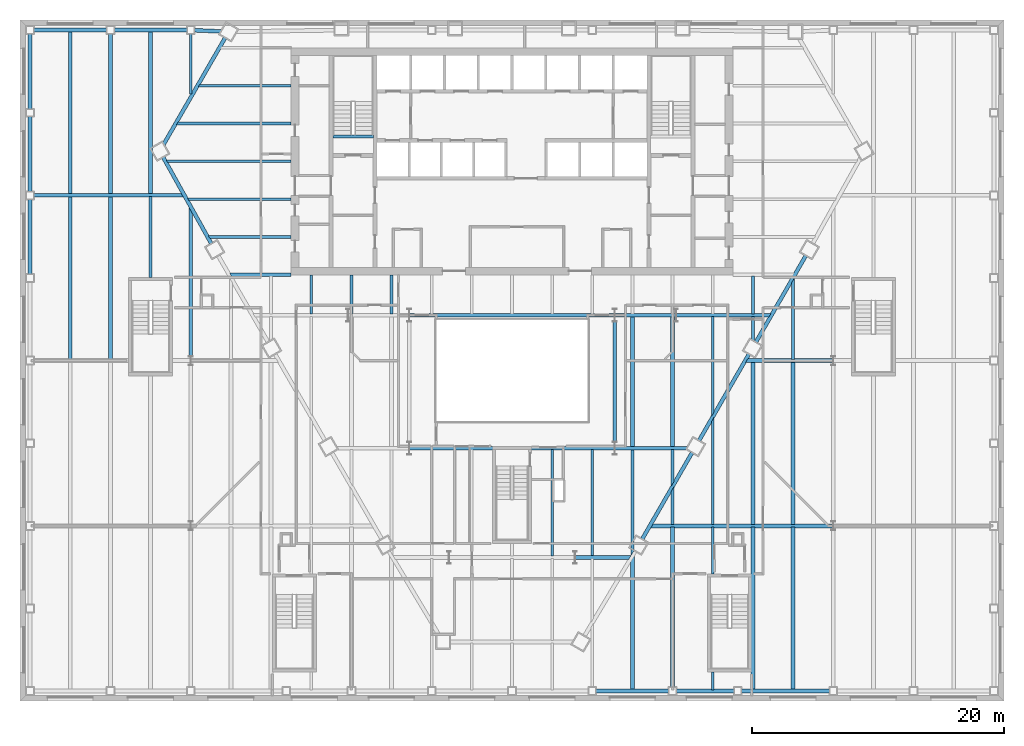
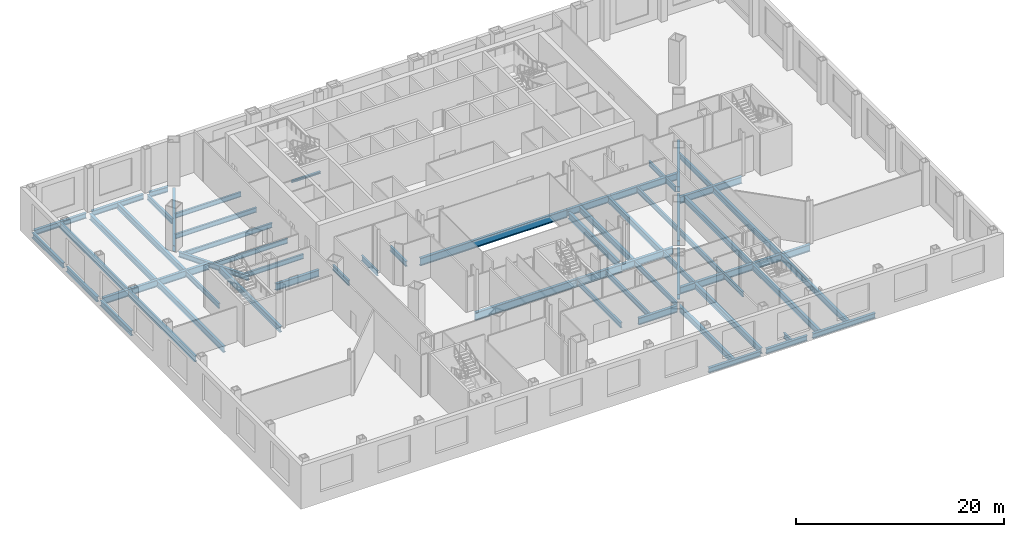
# One storey, part 5 of 21: 62 beams.
"""IFC4 building model written with IfcOpenShell, lengths in metres."""

from ifc_helpers import new_model, si_unit, direction, frame, origin, origin_2d, place, context, subcontext, project, spatial, i_section, extrude, clip, halfspace, material, material_profile, profile_set, type_object, element, save


model = new_model("IFC4")

# Units and contexts
model_context = context("Model", 3, precision=1e-05, world=origin(), true_north=direction((0.0, 1.0)))
body_context = subcontext(model_context, "Body", "Model", "MODEL_VIEW")
ifc_project = project(units=[si_unit("LENGTHUNIT", "METRE"), si_unit("AREAUNIT", "SQUARE_METRE"), si_unit("VOLUMEUNIT", "CUBIC_METRE"), si_unit("PLANEANGLEUNIT", "RADIAN"), si_unit("MASSUNIT", "GRAM", prefix="KILO")], contexts=[model_context])

# Site, building, storey
site_placement = place(None, origin())
site = spatial("IfcSite", under=ifc_project, at=site_placement, CompositionType="ELEMENT")
building_placement = place(site_placement, origin())
building = spatial("IfcBuilding", under=site, at=building_placement, Name="Njiva Tower", CompositionType="ELEMENT")
storey_placement = place(building_placement, frame((0.0, 0.0, 8.4)))
storey = spatial("IfcBuildingStorey", under=building, at=storey_placement, Name="L01", CompositionType="ELEMENT", Elevation=8.4)

# Beams
ifc_material = material(Name="Steel S355 J2", Category="steel")
ifc_material_profile_1 = material_profile(ifc_material, i_section(OverallWidth=0.3, OverallDepth=0.69, WebThickness=0.0145, FlangeThickness=0.027, at=origin_2d()), Name="HEA 700")
ifc_profile_set_1 = profile_set([ifc_material_profile_1], Name="Steel S355 J2")
beam_type_1 = type_object("IfcBeamType", Name="B1 Long-span spandrel beam HEA 700", PredefinedType="SPANDREL", material=ifc_profile_set_1)
beam_1_placement = place(storey_placement, frame((-22.736, 18.791, -0.565), z_axis=(-0.499971337603, -0.866041951395, 0.0), x_axis=(0.866041951395, -0.499971337603, 0.0)))
element("IfcBeam", 1, at=beam_1_placement, inside=storey, type_object=beam_type_1, Name="Long-span spandrel beam L01-B147", PredefinedType="SPANDREL", context=body_context, shape_type="Clipping", body=[
    clip(extrude(i_section(OverallWidth=0.3, OverallDepth=0.69, WebThickness=0.0145, FlangeThickness=0.027, at=origin_2d()), origin(), (0.0, 0.0, 1.0), 9.8456), halfspace(frame((-0.0253, 0.0, 9.7239), z_axis=(-0.500030652022, 0.0, 0.866007706108), x_axis=(0.0, 1.0, 0.0)), False)),
])
ifc_material_profile_2 = material_profile(ifc_material, i_section(OverallWidth=0.21, OverallDepth=0.55, WebThickness=0.0111, FlangeThickness=0.0172, at=origin_2d()), Name="IPE 550")
ifc_profile_set_2 = profile_set([ifc_material_profile_2], Name="Steel S355 J2")
beam_type_2 = type_object("IfcBeamType", Name="B10 Floor beam to the core IPE 550", PredefinedType="BEAM", material=ifc_profile_set_2)
beam_2_placement = place(storey_placement, frame((-24.091, 3.0, -0.495), z_axis=(1.0, 0.0, 0.0), x_axis=(0.0, 1.0, 0.0)))
element("IfcBeam", 2, at=beam_2_placement, inside=storey, type_object=beam_type_2, Name="Floor beam to the core L01-B005", PredefinedType="BEAM", context=body_context, shape_type="Clipping", body=[
    clip(extrude(i_section(OverallWidth=0.21, OverallDepth=0.55, WebThickness=0.0111, FlangeThickness=0.0172, at=origin_2d()), origin(), (0.0, 0.0, 1.0), 6.591), halfspace(frame((-0.0244, 0.0, 0.0929), z_axis=(-0.487051738924, 0.0, -0.87337311821), x_axis=(0.0, -1.0, 0.0)), False)),
])
beam_3_placement = place(storey_placement, frame((-25.764, 6.0, -0.495), z_axis=(1.0, 0.0, 0.0), x_axis=(0.0, 1.0, 0.0)))
element("IfcBeam", 3, at=beam_3_placement, inside=storey, type_object=beam_type_2, Name="Floor beam to the core L01-B003", PredefinedType="BEAM", context=body_context, shape_type="Clipping", body=[
    clip(extrude(i_section(OverallWidth=0.21, OverallDepth=0.55, WebThickness=0.0111, FlangeThickness=0.0172, at=origin_2d()), origin(), (0.0, 0.0, 1.0), 8.264), halfspace(frame((-0.0244, 0.0, 0.093), z_axis=(-0.487051738924, 0.0, -0.87337311821), x_axis=(0.0, -1.0, 0.0)), False)),
])
beam_4_placement = place(storey_placement, frame((-26.622, 12.0, -0.495), z_axis=(1.0, 0.0, 0.0), x_axis=(0.0, 1.0, 0.0)))
element("IfcBeam", 4, at=beam_4_placement, inside=storey, type_object=beam_type_2, Name="Floor beam to the core L01-B002", PredefinedType="BEAM", context=body_context, shape_type="Clipping", body=[
    clip(extrude(i_section(OverallWidth=0.21, OverallDepth=0.55, WebThickness=0.0111, FlangeThickness=0.0172, at=origin_2d()), origin(), (0.0, 0.0, 1.0), 9.122), halfspace(frame((0.025, 0.0, 0.0951), z_axis=(0.499998009787, 0.0, -0.866026552831), x_axis=(0.0, -1.0, 0.0)), False)),
])
beam_5_placement = place(storey_placement, frame((-24.89, 15.0, -0.495), z_axis=(1.0, 0.0, 0.0), x_axis=(0.0, 1.0, 0.0)))
element("IfcBeam", 5, at=beam_5_placement, inside=storey, type_object=beam_type_2, Name="Floor beam to the core L01-B004", PredefinedType="BEAM", context=body_context, shape_type="Clipping", body=[
    clip(extrude(i_section(OverallWidth=0.21, OverallDepth=0.55, WebThickness=0.0111, FlangeThickness=0.0172, at=origin_2d()), origin(), (0.0, 0.0, 1.0), 7.39), halfspace(frame((0.025, 0.0, 0.0951), z_axis=(0.499998009787, 0.0, -0.866026552831), x_axis=(0.0, -1.0, 0.0)), False)),
])
ifc_material_profile_3 = material_profile(ifc_material, i_section(OverallWidth=0.21, OverallDepth=0.55, WebThickness=0.0111, FlangeThickness=0.0172, at=origin_2d()), Name="IPE 550")
ifc_profile_set_3 = profile_set([ifc_material_profile_3], Name="Steel S355 J2")
beam_type_3 = type_object("IfcBeamType", Name="B11 Long-span floor beam to the core IPE 550", PredefinedType="BEAM", material=ifc_profile_set_3)
beam_6_placement = place(storey_placement, frame((-27.437, 9.0, -0.495), z_axis=(1.0, 0.0, 0.0), x_axis=(0.0, 1.0, 0.0)))
element("IfcBeam", 6, at=beam_6_placement, inside=storey, type_object=beam_type_3, Name="Long-span floor beam to the core L01-B001", PredefinedType="BEAM", context=body_context, shape_type="Clipping", body=[
    clip(extrude(i_section(OverallWidth=0.21, OverallDepth=0.55, WebThickness=0.0111, FlangeThickness=0.0172, at=origin_2d()), origin(), (0.0, 0.0, 1.0), 9.937), halfspace(frame((-0.0244, 0.0, 0.093), z_axis=(-0.487051738924, 0.0, -0.87337311821), x_axis=(0.0, -1.0, 0.0)), False)),
])
ifc_material_profile_4 = material_profile(ifc_material, i_section(OverallWidth=0.3, OverallDepth=0.69, WebThickness=0.0145, FlangeThickness=0.027, at=origin_2d()), Name="HEA 700")
ifc_profile_set_4 = profile_set([ifc_material_profile_4], Name="Steel S355 J2")
beam_type_4 = type_object("IfcBeamType", Name="B12 Long-span floor joist HEA 700", PredefinedType="JOIST", material=ifc_profile_set_4)
for number, where, z_axis, x_axis, name in (
    (7, (-35.017, 19.3, -0.565), (0.0, -1.0, 0.0), (1.0, 0.0, 0.0), "Long-span floor joist L01-B039"),
    (8, (-35.017, 6.2, -0.565), (0.0, -1.0, 0.0), (1.0, 0.0, 0.0), "Long-span floor joist L01-B038"),
):
    element("IfcBeam", number, at=place(storey_placement, frame(where, z_axis=z_axis, x_axis=x_axis)), inside=storey, type_object=beam_type_4, Name=name, PredefinedType="JOIST", context=body_context, shape_type="SweptSolid", body=[
        extrude(i_section(OverallWidth=0.3, OverallDepth=0.69, WebThickness=0.0145, FlangeThickness=0.027, at=origin_2d()), origin(), (0.0, 0.0, 1.0), 12.9),
    ])
beam_7_placement = place(storey_placement, frame((-31.833, 19.1, -0.565), z_axis=(0.0, -1.0, 0.0), x_axis=(1.0, 0.0, 0.0)))
element("IfcBeam", 9, at=beam_7_placement, inside=storey, type_object=beam_type_4, Name="Long-span floor joist L01-B043", PredefinedType="JOIST", context=body_context, shape_type="SweptSolid", body=[
    extrude(i_section(OverallWidth=0.3, OverallDepth=0.69, WebThickness=0.0145, FlangeThickness=0.027, at=origin_2d()), origin(), (0.0, 0.0, 1.0), 12.7),
])
for number, where, z_axis, x_axis, name in (
    (10, (-31.833, 6.2, -0.565), (0.0, -1.0, 0.0), (1.0, 0.0, 0.0), "Long-span floor joist L01-B042"),
    (11, (-28.65, 19.3, -0.565), (0.0, -1.0, 0.0), (1.0, 0.0, 0.0), "Long-span floor joist L01-B047"),
):
    element("IfcBeam", number, at=place(storey_placement, frame(where, z_axis=z_axis, x_axis=x_axis)), inside=storey, type_object=beam_type_4, Name=name, PredefinedType="JOIST", context=body_context, shape_type="SweptSolid", body=[
        extrude(i_section(OverallWidth=0.3, OverallDepth=0.69, WebThickness=0.0145, FlangeThickness=0.027, at=origin_2d()), origin(), (0.0, 0.0, 1.0), 12.9),
    ])
beam_8_placement = place(storey_placement, frame((-25.467, 5.288, -0.565), z_axis=(0.0, -1.0, 0.0), x_axis=(1.0, 0.0, 0.0)))
element("IfcBeam", 12, at=beam_8_placement, inside=storey, type_object=beam_type_4, Name="Long-span floor joist L01-B050", PredefinedType="JOIST", context=body_context, shape_type="SweptSolid", body=[
    extrude(i_section(OverallWidth=0.3, OverallDepth=0.69, WebThickness=0.0145, FlangeThickness=0.027, at=origin_2d()), origin(), (0.0, 0.0, 1.0), 11.78),
])
beam_9_placement = place(storey_placement, frame((9.55, -3.3, -0.565), z_axis=(0.0, -1.0, 0.0), x_axis=(1.0, 0.0, 0.0)))
element("IfcBeam", 13, at=beam_9_placement, inside=storey, type_object=beam_type_4, Name="Long-span floor joist L01-B095", PredefinedType="JOIST", context=body_context, shape_type="SweptSolid", body=[
    extrude(i_section(OverallWidth=0.3, OverallDepth=0.69, WebThickness=0.0145, FlangeThickness=0.027, at=origin_2d()), origin(), (0.0, 0.0, 1.0), 10.35),
])
beam_10_placement = place(storey_placement, frame((9.55, -22.243, -0.565), z_axis=(0.0, -1.0, 0.0), x_axis=(1.0, 0.0, 0.0)))
element("IfcBeam", 14, at=beam_10_placement, inside=storey, type_object=beam_type_4, Name="Long-span floor joist L01-B093", PredefinedType="JOIST", context=body_context, shape_type="Clipping", body=[
    clip(extrude(i_section(OverallWidth=0.3, OverallDepth=0.69, WebThickness=0.0145, FlangeThickness=0.027, at=origin_2d()), origin(), (0.0, 0.0, 1.0), 10.657), halfspace(frame((-0.0429, 0.0, 0.2758), z_axis=(-0.858483100847, 0.0, -0.512841852388), x_axis=(0.0, -1.0, 0.0)), False)),
])
beam_11_placement = place(storey_placement, frame((12.733, -3.3, -0.565), z_axis=(0.0, -1.0, 0.0), x_axis=(1.0, 0.0, 0.0)))
element("IfcBeam", 15, at=beam_11_placement, inside=storey, type_object=beam_type_4, Name="Long-span floor joist L01-B100", PredefinedType="JOIST", context=body_context, shape_type="SweptSolid", body=[
    extrude(i_section(OverallWidth=0.3, OverallDepth=0.69, WebThickness=0.0145, FlangeThickness=0.027, at=origin_2d()), origin(), (0.0, 0.0, 1.0), 10.35),
])
beam_12_placement = place(storey_placement, frame((12.733, -20.001, -0.565), z_axis=(0.0, -1.0, 0.0), x_axis=(1.0, 0.0, 0.0)))
element("IfcBeam", 16, at=beam_12_placement, inside=storey, type_object=beam_type_4, Name="Long-span floor joist L01-B097", PredefinedType="JOIST", context=body_context, shape_type="SweptSolid", body=[
    extrude(i_section(OverallWidth=0.3, OverallDepth=0.69, WebThickness=0.0145, FlangeThickness=0.027, at=origin_2d()), origin(), (0.0, 0.0, 1.0), 12.699),
])
for number, where, z_axis, x_axis, name in (
    (17, (19.1, -6.9, -0.565), (0.0, -1.0, 0.0), (1.0, 0.0, 0.0), "Long-span floor joist L01-B108"),
    (18, (19.1, -20.001, -0.565), (0.0, -1.0, 0.0), (1.0, 0.0, 0.0), "Long-span floor joist L01-B107"),
    (19, (22.283, -6.9, -0.565), (0.0, -1.0, 0.0), (1.0, 0.0, 0.0), "Long-span floor joist L01-B112"),
    (20, (22.283, -20.001, -0.565), (0.0, -1.0, 0.0), (1.0, 0.0, 0.0), "Long-span floor joist L01-B111"),
):
    element("IfcBeam", number, at=place(storey_placement, frame(where, z_axis=z_axis, x_axis=x_axis)), inside=storey, type_object=beam_type_4, Name=name, PredefinedType="JOIST", context=body_context, shape_type="SweptSolid", body=[
        extrude(i_section(OverallWidth=0.3, OverallDepth=0.69, WebThickness=0.0145, FlangeThickness=0.027, at=origin_2d()), origin(), (0.0, 0.0, 1.0), 12.899),
    ])
ifc_material_profile_5 = material_profile(ifc_material, i_section(OverallWidth=0.22, OverallDepth=0.6, WebThickness=0.012, FlangeThickness=0.019, at=origin_2d()), Name="IPE 600")
ifc_profile_set_5 = profile_set([ifc_material_profile_5], Name="Steel S355 J2")
beam_type_5 = type_object("IfcBeamType", Name="B13 Floor joist IPE 600", PredefinedType="JOIST", material=ifc_profile_set_5)
beam_13_placement = place(storey_placement, frame((-28.65, 6.2, -0.52), z_axis=(0.0, -1.0, 0.0), x_axis=(1.0, 0.0, 0.0)))
element("IfcBeam", 21, at=beam_13_placement, inside=storey, type_object=beam_type_5, Name="Floor joist L01-B046", PredefinedType="JOIST", context=body_context, shape_type="SweptSolid", body=[
    extrude(i_section(OverallWidth=0.22, OverallDepth=0.6, WebThickness=0.012, FlangeThickness=0.019, at=origin_2d()), origin(), (0.0, 0.0, 1.0), 6.4),
])
beam_14_placement = place(storey_placement, frame((-25.467, 19.1, -0.52), z_axis=(0.0, -1.0, 0.0), x_axis=(1.0, 0.0, 0.0)))
element("IfcBeam", 22, at=beam_14_placement, inside=storey, type_object=beam_type_5, Name="Floor joist L01-B051", PredefinedType="JOIST", context=body_context, shape_type="SweptSolid", body=[
    extrude(i_section(OverallWidth=0.22, OverallDepth=0.6, WebThickness=0.012, FlangeThickness=0.019, at=origin_2d()), origin(), (0.0, 0.0, 1.0), 4.772),
])
for number, where, z_axis, x_axis, name in (
    (23, (3.183, -13.851, -0.52), (0.0, -1.0, 0.0), (1.0, 0.0, 0.0), "Floor joist L01-B087"),
    (24, (6.367, -13.851, -0.52), (0.0, -1.0, 0.0), (1.0, 0.0, 0.0), "Floor joist L01-B091"),
):
    element("IfcBeam", number, at=place(storey_placement, frame(where, z_axis=z_axis, x_axis=x_axis)), inside=storey, type_object=beam_type_5, Name=name, PredefinedType="JOIST", context=body_context, shape_type="SweptSolid", body=[
        extrude(i_section(OverallWidth=0.22, OverallDepth=0.6, WebThickness=0.012, FlangeThickness=0.019, at=origin_2d()), origin(), (0.0, 0.0, 1.0), 8.449),
    ])
beam_15_placement = place(storey_placement, frame((9.55, -13.85, -0.52), z_axis=(0.0, -1.0, 0.0), x_axis=(1.0, 0.0, 0.0)))
element("IfcBeam", 25, at=beam_15_placement, inside=storey, type_object=beam_type_5, Name="Floor joist L01-B094", PredefinedType="JOIST", context=body_context, shape_type="Clipping", body=[
    clip(extrude(i_section(OverallWidth=0.22, OverallDepth=0.6, WebThickness=0.012, FlangeThickness=0.019, at=origin_2d()), origin(), (0.0, 0.0, 1.0), 8.411), halfspace(frame((0.0429, 0.0, 8.1351), z_axis=(0.858483100847, 0.0, 0.512841852388), x_axis=(0.0, 1.0, 0.0)), False)),
])
beam_16_placement = place(storey_placement, frame((15.917, -3.3, -0.52), z_axis=(0.0, -1.0, 0.0), x_axis=(1.0, 0.0, 0.0)))
element("IfcBeam", 26, at=beam_16_placement, inside=storey, type_object=beam_type_5, Name="Floor joist L01-B105", PredefinedType="JOIST", context=body_context, shape_type="Clipping", body=[
    clip(extrude(i_section(OverallWidth=0.22, OverallDepth=0.6, WebThickness=0.012, FlangeThickness=0.019, at=origin_2d()), origin(), (0.0, 0.0, 1.0), 7.964), halfspace(frame((0.043, 0.0, 7.6783), z_axis=(0.866026552831, 0.0, 0.499998009787), x_axis=(0.0, 1.0, 0.0)), False)),
])
beam_17_placement = place(storey_placement, frame((15.917, -11.242, -0.52), z_axis=(0.0, -1.0, 0.0), x_axis=(1.0, 0.0, 0.0)))
element("IfcBeam", 27, at=beam_17_placement, inside=storey, type_object=beam_type_5, Name="Floor joist L01-B104", PredefinedType="JOIST", context=body_context, shape_type="Clipping", body=[
    clip(extrude(i_section(OverallWidth=0.22, OverallDepth=0.6, WebThickness=0.012, FlangeThickness=0.019, at=origin_2d()), origin(), (0.0, 0.0, 1.0), 8.557), halfspace(frame((-0.0436, 0.0, 0.2863), z_axis=(-0.866026552831, 0.0, -0.499998009787), x_axis=(0.0, -1.0, 0.0)), False)),
])
beam_18_placement = place(storey_placement, frame((22.283, -0.215, -0.52), z_axis=(0.0, -1.0, 0.0), x_axis=(1.0, 0.0, 0.0)))
element("IfcBeam", 28, at=beam_18_placement, inside=storey, type_object=beam_type_5, Name="Floor joist L01-B113", PredefinedType="JOIST", context=body_context, shape_type="Clipping", body=[
    clip(extrude(i_section(OverallWidth=0.22, OverallDepth=0.6, WebThickness=0.012, FlangeThickness=0.019, at=origin_2d()), origin(), (0.0, 0.0, 1.0), 6.485), halfspace(frame((-0.043, 0.0, 0.2859), z_axis=(-0.866026552831, 0.0, -0.499998009787), x_axis=(0.0, -1.0, 0.0)), False)),
])
ifc_material_profile_6 = material_profile(ifc_material, i_section(OverallWidth=0.22, OverallDepth=0.6, WebThickness=0.012, FlangeThickness=0.019, at=origin_2d()), Name="IPE 600")
ifc_profile_set_6 = profile_set([ifc_material_profile_6], Name="Steel S355 J2")
beam_type_6 = type_object("IfcBeamType", Name="B14 Short-span floor joist IPE 600", PredefinedType="JOIST", material=ifc_profile_set_6)
for number, where, z_axis, x_axis, name in (
    (29, (-15.917, -0.005, -0.52), (0.0, -1.0, 0.0), (1.0, 0.0, 0.0), "Short-span floor joist L01-B063"),
    (30, (-12.733, -0.005, -0.52), (0.0, -1.0, 0.0), (1.0, 0.0, 0.0), "Short-span floor joist L01-B068"),
    (31, (-9.55, -0.005, -0.52), (0.0, -1.0, 0.0), (1.0, 0.0, 0.0), "Short-span floor joist L01-B072"),
):
    element("IfcBeam", number, at=place(storey_placement, frame(where, z_axis=z_axis, x_axis=x_axis)), inside=storey, type_object=beam_type_6, Name=name, PredefinedType="JOIST", context=body_context, shape_type="SweptSolid", body=[
        extrude(i_section(OverallWidth=0.22, OverallDepth=0.6, WebThickness=0.012, FlangeThickness=0.019, at=origin_2d()), origin(), (0.0, 0.0, 1.0), 3.095),
    ])
beam_19_placement = place(storey_placement, frame((12.733, -13.85, -0.52), z_axis=(0.0, -1.0, 0.0), x_axis=(1.0, 0.0, 0.0)))
element("IfcBeam", 32, at=beam_19_placement, inside=storey, type_object=beam_type_6, Name="Short-span floor joist L01-B099", PredefinedType="JOIST", context=body_context, shape_type="Clipping", body=[
    clip(extrude(i_section(OverallWidth=0.22, OverallDepth=0.6, WebThickness=0.012, FlangeThickness=0.019, at=origin_2d()), origin(), (0.0, 0.0, 1.0), 2.928), halfspace(frame((0.0436, 0.0, 2.642), z_axis=(0.866026552831, 0.0, 0.499998009787), x_axis=(0.0, 1.0, 0.0)), False)),
])
beam_20_placement = place(storey_placement, frame((12.733, -16.756, -0.52), z_axis=(0.0, -1.0, 0.0), x_axis=(1.0, 0.0, 0.0)))
element("IfcBeam", 33, at=beam_20_placement, inside=storey, type_object=beam_type_6, Name="Short-span floor joist L01-B098", PredefinedType="JOIST", context=body_context, shape_type="Clipping", body=[
    clip(extrude(i_section(OverallWidth=0.22, OverallDepth=0.6, WebThickness=0.012, FlangeThickness=0.019, at=origin_2d()), origin(), (0.0, 0.0, 1.0), 3.043), halfspace(frame((-0.043, 0.0, 0.286), z_axis=(-0.866026552831, 0.0, -0.499998009787), x_axis=(0.0, -1.0, 0.0)), False)),
])
beam_21_placement = place(storey_placement, frame((15.917, -20.001, -0.52), z_axis=(0.0, -1.0, 0.0), x_axis=(1.0, 0.0, 0.0)))
element("IfcBeam", 34, at=beam_21_placement, inside=storey, type_object=beam_type_6, Name="Short-span floor joist L01-B103", PredefinedType="JOIST", context=body_context, shape_type="SweptSolid", body=[
    extrude(i_section(OverallWidth=0.22, OverallDepth=0.6, WebThickness=0.012, FlangeThickness=0.019, at=origin_2d()), origin(), (0.0, 0.0, 1.0), 3.699),
])
beam_22_placement = place(storey_placement, frame((15.917, -31.5, -0.52), z_axis=(0.0, -1.0, 0.0), x_axis=(1.0, 0.0, 0.0)))
element("IfcBeam", 35, at=beam_22_placement, inside=storey, type_object=beam_type_6, Name="Short-span floor joist L01-B102", PredefinedType="JOIST", context=body_context, shape_type="SweptSolid", body=[
    extrude(i_section(OverallWidth=0.22, OverallDepth=0.6, WebThickness=0.012, FlangeThickness=0.019, at=origin_2d()), origin(), (0.0, 0.0, 1.0), 1.4),
])
beam_23_placement = place(storey_placement, frame((19.1, -0.1, -0.52), z_axis=(0.0, -1.0, 0.0), x_axis=(1.0, 0.0, 0.0)))
element("IfcBeam", 36, at=beam_23_placement, inside=storey, type_object=beam_type_6, Name="Short-span floor joist L01-B110", PredefinedType="JOIST", context=body_context, shape_type="SweptSolid", body=[
    extrude(i_section(OverallWidth=0.22, OverallDepth=0.6, WebThickness=0.012, FlangeThickness=0.019, at=origin_2d()), origin(), (0.0, 0.0, 1.0), 3.0),
])
beam_24_placement = place(storey_placement, frame((19.1, -3.3, -0.52), z_axis=(0.0, -1.0, 0.0), x_axis=(1.0, 0.0, 0.0)))
element("IfcBeam", 37, at=beam_24_placement, inside=storey, type_object=beam_type_6, Name="Short-span floor joist L01-B109", PredefinedType="JOIST", context=body_context, shape_type="Clipping", body=[
    clip(extrude(i_section(OverallWidth=0.22, OverallDepth=0.6, WebThickness=0.012, FlangeThickness=0.019, at=origin_2d()), origin(), (0.0, 0.0, 1.0), 1.978), halfspace(frame((-0.025, 0.0, 1.88), z_axis=(-0.499998009787, 0.0, 0.866026552831), x_axis=(0.0, 1.0, 0.0)), False)),
])
ifc_material_profile_7 = material_profile(ifc_material, i_section(OverallWidth=0.3, OverallDepth=0.6, WebThickness=0.0155, FlangeThickness=0.03, at=origin_2d()), Name="HEB 600")
ifc_profile_set_7 = profile_set([ifc_material_profile_7], Name="Steel S355 J2")
beam_type_7 = type_object("IfcBeamType", Name="B2 Spandrel beam HEB 600", PredefinedType="SPANDREL", material=ifc_profile_set_7)
beam_25_placement = place(storey_placement, frame((-27.654, 9.326, -0.52), z_axis=(0.487083289159, -0.873355522924, 0.0), x_axis=(0.873355522924, 0.487083289159, 0.0)))
element("IfcBeam", 38, at=beam_25_placement, inside=storey, type_object=beam_type_7, Name="Spandrel beam L01-B146", PredefinedType="SPANDREL", context=body_context, shape_type="SweptSolid", body=[
    extrude(i_section(OverallWidth=0.3, OverallDepth=0.6, WebThickness=0.0155, FlangeThickness=0.03, at=origin_2d()), origin(), (0.0, 0.0, 1.0), 7.8364),
])
beam_26_placement = place(storey_placement, frame((10.321, -20.946, -0.52), z_axis=(0.499930249268, 0.866065670643, 0.0), x_axis=(-0.866065670643, 0.499930249268, 0.0)))
element("IfcBeam", 39, at=beam_26_placement, inside=storey, type_object=beam_type_7, Name="Spandrel beam L01-B167", PredefinedType="SPANDREL", context=body_context, shape_type="SweptSolid", body=[
    extrude(i_section(OverallWidth=0.3, OverallDepth=0.6, WebThickness=0.0155, FlangeThickness=0.03, at=origin_2d()), origin(), (0.0, 0.0, 1.0), 7.9151),
])
beam_27_placement = place(storey_placement, frame((14.828, -13.139, -0.52), z_axis=(0.499970304126, 0.866042548026, 0.0), x_axis=(-0.866042548026, 0.499970304126, 0.0)))
element("IfcBeam", 40, at=beam_27_placement, inside=storey, type_object=beam_type_7, Name="Spandrel beam L01-B170", PredefinedType="SPANDREL", context=body_context, shape_type="SweptSolid", body=[
    extrude(i_section(OverallWidth=0.3, OverallDepth=0.6, WebThickness=0.0155, FlangeThickness=0.03, at=origin_2d()), origin(), (0.0, 0.0, 1.0), 7.9165),
])
beam_28_placement = place(storey_placement, frame((19.336, -5.331, -0.52), z_axis=(0.500025004646, 0.866010966864, 0.0), x_axis=(-0.866010966864, 0.500025004646, 0.0)))
element("IfcBeam", 41, at=beam_28_placement, inside=storey, type_object=beam_type_7, Name="Spandrel beam L01-B172", PredefinedType="SPANDREL", context=body_context, shape_type="SweptSolid", body=[
    extrude(i_section(OverallWidth=0.3, OverallDepth=0.6, WebThickness=0.0155, FlangeThickness=0.03, at=origin_2d()), origin(), (0.0, 0.0, 1.0), 7.9156),
])
for number, where, z_axis, x_axis, name in (
    (42, (-38.2, 19.1, -0.52), (0.0, -1.0, 0.0), (1.0, 0.0, 0.0), "Spandrel beam L01-B141"),
    (43, (-38.2, 12.55, -0.52), (0.0, -1.0, 0.0), (1.0, 0.0, 0.0), "Spandrel beam L01-B140"),
    (44, (-38.2, 6.0, -0.52), (0.0, -1.0, 0.0), (1.0, 0.0, 0.0), "Spandrel beam L01-B139"),
):
    element("IfcBeam", number, at=place(storey_placement, frame(where, z_axis=z_axis, x_axis=x_axis)), inside=storey, type_object=beam_type_7, Name=name, PredefinedType="SPANDREL", context=body_context, shape_type="SweptSolid", body=[
        extrude(i_section(OverallWidth=0.3, OverallDepth=0.6, WebThickness=0.0155, FlangeThickness=0.03, at=origin_2d()), origin(), (0.0, 0.0, 1.0), 5.95),
    ])
beam_29_placement = place(storey_placement, frame((6.667, -33.0, -0.52), z_axis=(1.0, 0.0, 0.0), x_axis=(0.0, 1.0, 0.0)))
element("IfcBeam", 45, at=beam_29_placement, inside=storey, type_object=beam_type_7, Name="Spandrel beam L01-B165", PredefinedType="SPANDREL", context=body_context, shape_type="SweptSolid", body=[
    extrude(i_section(OverallWidth=0.3, OverallDepth=0.6, WebThickness=0.0155, FlangeThickness=0.03, at=origin_2d()), origin(), (0.0, 0.0, 1.0), 5.766),
])
beam_30_placement = place(storey_placement, frame((13.033, -33.0, -0.52), z_axis=(1.0, 0.0, 0.0), x_axis=(0.0, 1.0, 0.0)))
element("IfcBeam", 46, at=beam_30_placement, inside=storey, type_object=beam_type_7, Name="Spandrel beam L01-B168", PredefinedType="SPANDREL", context=body_context, shape_type="SweptSolid", body=[
    extrude(i_section(OverallWidth=0.3, OverallDepth=0.6, WebThickness=0.0155, FlangeThickness=0.03, at=origin_2d()), origin(), (0.0, 0.0, 1.0), 4.567),
])
beam_31_placement = place(storey_placement, frame((18.2, -33.0, -0.52), z_axis=(1.0, 0.0, 0.0), x_axis=(0.0, 1.0, 0.0)))
element("IfcBeam", 47, at=beam_31_placement, inside=storey, type_object=beam_type_7, Name="Spandrel beam L01-B171", PredefinedType="SPANDREL", context=body_context, shape_type="SweptSolid", body=[
    extrude(i_section(OverallWidth=0.3, OverallDepth=0.6, WebThickness=0.0155, FlangeThickness=0.03, at=origin_2d()), origin(), (0.0, 0.0, 1.0), 6.967),
])
beam_32_placement = place(storey_placement, frame((-37.9, 19.4, -0.52), z_axis=(1.0, 0.0, 0.0), x_axis=(0.0, 1.0, 0.0)))
element("IfcBeam", 48, at=beam_32_placement, inside=storey, type_object=beam_type_7, Name="Spandrel beam L01-B143", PredefinedType="SPANDREL", context=body_context, shape_type="SweptSolid", body=[
    extrude(i_section(OverallWidth=0.3, OverallDepth=0.6, WebThickness=0.0155, FlangeThickness=0.03, at=origin_2d()), origin(), (0.0, 0.0, 1.0), 5.767),
])
beam_33_placement = place(storey_placement, frame((-31.533, 19.4, -0.52), z_axis=(1.0, 0.0, 0.0), x_axis=(0.0, 1.0, 0.0)))
element("IfcBeam", 49, at=beam_33_placement, inside=storey, type_object=beam_type_7, Name="Spandrel beam L01-B145", PredefinedType="SPANDREL", context=body_context, shape_type="SweptSolid", body=[
    extrude(i_section(OverallWidth=0.3, OverallDepth=0.6, WebThickness=0.0155, FlangeThickness=0.03, at=origin_2d()), origin(), (0.0, 0.0, 1.0), 5.766),
])
ifc_material_profile_8 = material_profile(ifc_material, i_section(OverallWidth=0.3, OverallDepth=0.6, WebThickness=0.0155, FlangeThickness=0.03, at=origin_2d()), Name="HEB 600")
ifc_profile_set_8 = profile_set([ifc_material_profile_8], Name="Steel S355 J2")
beam_type_8 = type_object("IfcBeamType", Name="B3 Short-span spandrel beam HEB 600", PredefinedType="SPANDREL", material=ifc_profile_set_8)
beam_34_placement = place(storey_placement, frame((-25.161, 19.386, -0.52), z_axis=(0.999024189577, -0.044166374551, 0.0), x_axis=(0.044166374551, 0.999024189577, 0.0)))
element("IfcBeam", 50, at=beam_34_placement, inside=storey, type_object=beam_type_8, Name="Short-span spandrel beam L01-B149", PredefinedType="SPANDREL", context=body_context, shape_type="Clipping", body=[
    clip(extrude(i_section(OverallWidth=0.3, OverallDepth=0.6, WebThickness=0.0155, FlangeThickness=0.03, at=origin_2d()), origin(), (0.0, 0.0, 1.0), 2.181), halfspace(frame((-0.0228, 0.0, 2.0707), z_axis=(-0.461260853414, 0.0, 0.887264574469), x_axis=(0.0, 1.0, 0.0)), False)),
])
ifc_material_profile_9 = material_profile(ifc_material, i_section(OverallWidth=0.3, OverallDepth=0.79, WebThickness=0.015, FlangeThickness=0.028, at=origin_2d()), Name="HEA 800")
ifc_profile_set_9 = profile_set([ifc_material_profile_9], Name="Steel S355 J2")
beam_type_9 = type_object("IfcBeamType", Name="B4 Floor girder HEA 800", PredefinedType="BEAM", material=ifc_profile_set_9)
beam_35_placement = place(storey_placement, frame((8.15, -3.2, -0.615), z_axis=(1.0, 0.0, 0.0), x_axis=(0.0, 1.0, 0.0)))
element("IfcBeam", 51, at=beam_35_placement, inside=storey, type_object=beam_type_9, Name="Floor girder L01-B027", PredefinedType="BEAM", context=body_context, shape_type="SweptSolid", body=[
    extrude(i_section(OverallWidth=0.3, OverallDepth=0.79, WebThickness=0.015, FlangeThickness=0.028, at=origin_2d()), origin(), (0.0, 0.0, 1.0), 4.85),
])
beam_36_placement = place(storey_placement, frame((13.0, -3.2, -0.615), z_axis=(1.0, 0.0, 0.0), x_axis=(0.0, 1.0, 0.0)))
element("IfcBeam", 52, at=beam_36_placement, inside=storey, type_object=beam_type_9, Name="Floor girder L01-B029", PredefinedType="BEAM", context=body_context, shape_type="Clipping", body=[
    clip(extrude(i_section(OverallWidth=0.3, OverallDepth=0.79, WebThickness=0.015, FlangeThickness=0.028, at=origin_2d()), origin(), (0.0, 0.0, 1.0), 7.558), halfspace(frame((-0.025, 0.0, 7.4363), z_axis=(-0.499998009787, 0.0, 0.866026552831), x_axis=(0.0, 1.0, 0.0)), False)),
])
beam_37_placement = place(storey_placement, frame((8.15, -13.75, -0.615), z_axis=(1.0, 0.0, 0.0), x_axis=(0.0, 1.0, 0.0)))
element("IfcBeam", 53, at=beam_37_placement, inside=storey, type_object=beam_type_9, Name="Floor girder L01-B026", PredefinedType="BEAM", context=body_context, shape_type="Clipping", body=[
    clip(extrude(i_section(OverallWidth=0.3, OverallDepth=0.79, WebThickness=0.015, FlangeThickness=0.028, at=origin_2d()), origin(), (0.0, 0.0, 1.0), 5.797), halfspace(frame((-0.025, 0.0, 5.6755), z_axis=(-0.499998009787, 0.0, 0.866026552831), x_axis=(0.0, 1.0, 0.0)), False)),
])
beam_38_placement = place(storey_placement, frame((-22.405, 0.0, -0.615), z_axis=(1.0, 0.0, 0.0), x_axis=(0.0, 1.0, 0.0)))
element("IfcBeam", 54, at=beam_38_placement, inside=storey, type_object=beam_type_9, Name="Floor girder L01-B019", PredefinedType="BEAM", context=body_context, shape_type="Clipping", body=[
    clip(extrude(i_section(OverallWidth=0.3, OverallDepth=0.79, WebThickness=0.015, FlangeThickness=0.028, at=origin_2d()), origin(), (0.0, 0.0, 1.0), 4.905), halfspace(frame((-0.025, 0.0, 0.1211), z_axis=(-0.499998009787, 0.0, -0.866026552831), x_axis=(0.0, -1.0, 0.0)), False)),
])
beam_39_placement = place(storey_placement, frame((18.496, -6.8, -0.615), z_axis=(1.0, 0.0, 0.0), x_axis=(0.0, 1.0, 0.0)))
element("IfcBeam", 55, at=beam_39_placement, inside=storey, type_object=beam_type_9, Name="Floor girder L01-B031", PredefinedType="BEAM", context=body_context, shape_type="Clipping", body=[
    clip(extrude(i_section(OverallWidth=0.3, OverallDepth=0.79, WebThickness=0.015, FlangeThickness=0.028, at=origin_2d()), origin(), (0.0, 0.0, 1.0), 6.971), halfspace(frame((0.025, 0.0, 0.1217), z_axis=(0.499998009787, 0.0, -0.866026552831), x_axis=(0.0, -1.0, 0.0)), False)),
])
ifc_material_profile_10 = material_profile(ifc_material, i_section(OverallWidth=0.3, OverallDepth=0.79, WebThickness=0.015, FlangeThickness=0.028, at=origin_2d()), Name="HEA 800")
ifc_profile_set_10 = profile_set([ifc_material_profile_10], Name="Steel S355 J2")
beam_type_10 = type_object("IfcBeamType", Name="B5 Short-span floor girder HEA 800", PredefinedType="BEAM", material=ifc_profile_set_10)
beam_40_placement = place(storey_placement, frame((5.0, -22.4, -0.615), z_axis=(1.0, 0.0, 0.0), x_axis=(0.0, 1.0, 0.0)))
element("IfcBeam", 56, at=beam_40_placement, inside=storey, type_object=beam_type_10, Name="Short-span floor girder L01-B025", PredefinedType="BEAM", context=body_context, shape_type="Clipping", body=[
    clip(extrude(i_section(OverallWidth=0.3, OverallDepth=0.79, WebThickness=0.015, FlangeThickness=0.028, at=origin_2d()), origin(), (0.0, 0.0, 1.0), 4.455), halfspace(frame((-0.0256, 0.0, 4.3297), z_axis=(-0.512841852388, 0.0, 0.858483100847), x_axis=(0.0, 1.0, 0.0)), False)),
])
ifc_material_profile_11 = material_profile(ifc_material, i_section(OverallWidth=0.3, OverallDepth=0.79, WebThickness=0.015, FlangeThickness=0.028, at=origin_2d()), Name="HEA 800")
ifc_profile_set_11 = profile_set([ifc_material_profile_11], Name="Steel S355 J2")
beam_type_11 = type_object("IfcBeamType", Name="B6 Long-span floor girder HEA 800", PredefinedType="BEAM", material=ifc_profile_set_11)
beam_41_placement = place(storey_placement, frame((-37.9, 6.3, -0.615), z_axis=(1.0, 0.0, 0.0), x_axis=(0.0, 1.0, 0.0)))
element("IfcBeam", 57, at=beam_41_placement, inside=storey, type_object=beam_type_11, Name="Long-span floor girder L01-B015", PredefinedType="BEAM", context=body_context, shape_type="SweptSolid", body=[
    extrude(i_section(OverallWidth=0.3, OverallDepth=0.79, WebThickness=0.015, FlangeThickness=0.028, at=origin_2d()), origin(), (0.0, 0.0, 1.0), 11.865),
])
ifc_material_profile_12 = material_profile(ifc_material, i_section(OverallWidth=0.303, OverallDepth=0.814, WebThickness=0.021, FlangeThickness=0.04, at=origin_2d()), Name="HEM 800")
ifc_profile_set_12 = profile_set([ifc_material_profile_12], Name="Steel S355 J2")
beam_type_12 = type_object("IfcBeamType", Name="B7 Long-span floor girder HEM 800", PredefinedType="BEAM", material=ifc_profile_set_12)
beam_42_placement = place(storey_placement, frame((10.933, -19.9, -0.627), z_axis=(1.0, 0.0, 0.0), x_axis=(0.0, 1.0, 0.0)))
element("IfcBeam", 58, at=beam_42_placement, inside=storey, type_object=beam_type_12, Name="Long-span floor girder L01-B028", PredefinedType="BEAM", context=body_context, shape_type="Clipping", body=[
    clip(extrude(i_section(OverallWidth=0.303, OverallDepth=0.814, WebThickness=0.021, FlangeThickness=0.04, at=origin_2d()), origin(), (0.0, 0.0, 1.0), 14.534), halfspace(frame((0.025, 0.0, 0.1214), z_axis=(0.499998009787, 0.0, -0.866026552831), x_axis=(0.0, -1.0, 0.0)), False)),
])
ifc_material_profile_13 = material_profile(ifc_material, i_section(OverallWidth=0.302, OverallDepth=0.91, WebThickness=0.021, FlangeThickness=0.04, at=origin_2d()), Name="HEM 900")
ifc_profile_set_13 = profile_set([ifc_material_profile_13], Name="Steel S355 J2")
beam_type_13 = type_object("IfcBeamType", Name="B8 Long-span atrium trimmer beam HEM 900", PredefinedType="BEAM", material=ifc_profile_set_13)
for number, where, z_axis, x_axis, name in (
    (59, (-8.15, -13.75, -0.675), (1.0, 0.0, 0.0), (0.0, 1.0, 0.0), "Long-span atrium trimmer beam L01-B130"),
    (60, (8.15, -3.2, -0.675), (-1.0, 0.0, 0.0), (0.0, -1.0, 0.0), "Long-span atrium trimmer beam L01-B132"),
):
    element("IfcBeam", number, at=place(storey_placement, frame(where, z_axis=z_axis, x_axis=x_axis)), inside=storey, type_object=beam_type_13, Name=name, PredefinedType="BEAM", context=body_context, shape_type="SweptSolid", body=[
        extrude(i_section(OverallWidth=0.302, OverallDepth=0.91, WebThickness=0.021, FlangeThickness=0.04, at=origin_2d()), origin(), (0.0, 0.0, 1.0), 16.3),
    ])
ifc_material_profile_14 = material_profile(ifc_material, i_section(OverallWidth=0.3, OverallDepth=0.79, WebThickness=0.015, FlangeThickness=0.028, at=origin_2d()), Name="HEA 800")
ifc_profile_set_14 = profile_set([ifc_material_profile_14], Name="Steel S355 J2")
beam_type_14 = type_object("IfcBeamType", Name="B9 Long-span atrium trimmer beam HEA 800", PredefinedType="BEAM", material=ifc_profile_set_14)
beam_43_placement = place(storey_placement, frame((8.15, -13.296, -0.615), z_axis=(0.0, 1.0, 0.0), x_axis=(-1.0, 0.0, 0.0)))
element("IfcBeam", 61, at=beam_43_placement, inside=storey, type_object=beam_type_14, Name="Long-span atrium trimmer beam L01-B133", PredefinedType="BEAM", context=body_context, shape_type="SweptSolid", body=[
    extrude(i_section(OverallWidth=0.3, OverallDepth=0.79, WebThickness=0.015, FlangeThickness=0.028, at=origin_2d()), origin(), (0.0, 0.0, 1.0), 9.642),
])
ifc_material_profile_15 = material_profile(ifc_material, i_section(OverallWidth=0.24, OverallDepth=0.23, WebThickness=0.0075, FlangeThickness=0.012, at=origin_2d()), Name="HEA240")
ifc_profile_set_15 = profile_set([ifc_material_profile_15], Name="Steel S355 J2")
beam_type_15 = type_object("IfcBeamType", Name="FL8 Landing beam HEA 240", PredefinedType="BEAM", material=ifc_profile_set_15)
beam_44_placement = place(storey_placement, frame((-14.206, 10.98, 2.235), z_axis=(1.0, 0.0, 0.0), x_axis=(0.0, 1.0, 0.0)))
element("IfcBeam", 62, at=beam_44_placement, inside=storey, type_object=beam_type_15, Name="Landing beam", PredefinedType="BEAM", context=body_context, shape_type="SweptSolid", body=[
    extrude(i_section(OverallWidth=0.24, OverallDepth=0.23, WebThickness=0.0075, FlangeThickness=0.012, at=origin_2d()), origin(), (0.0, 0.0, 1.0), 3.212),
])

save(model, "model.ifc")
